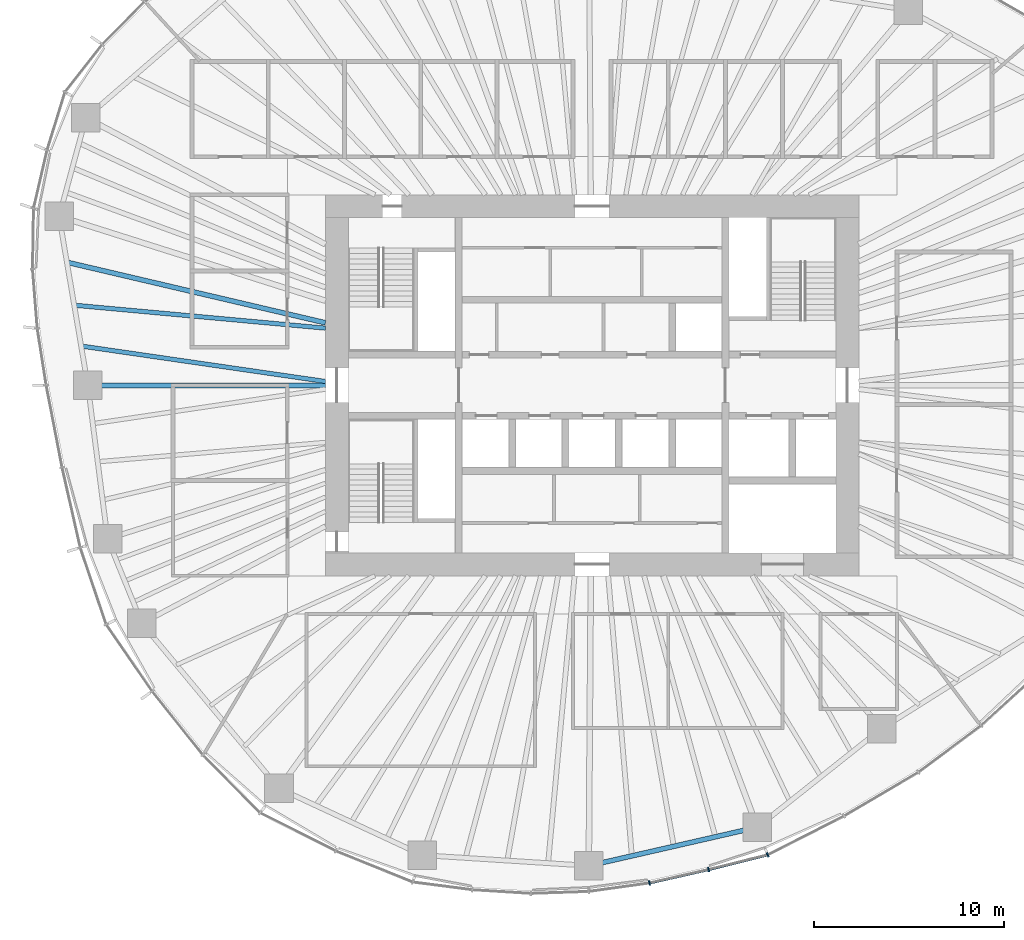
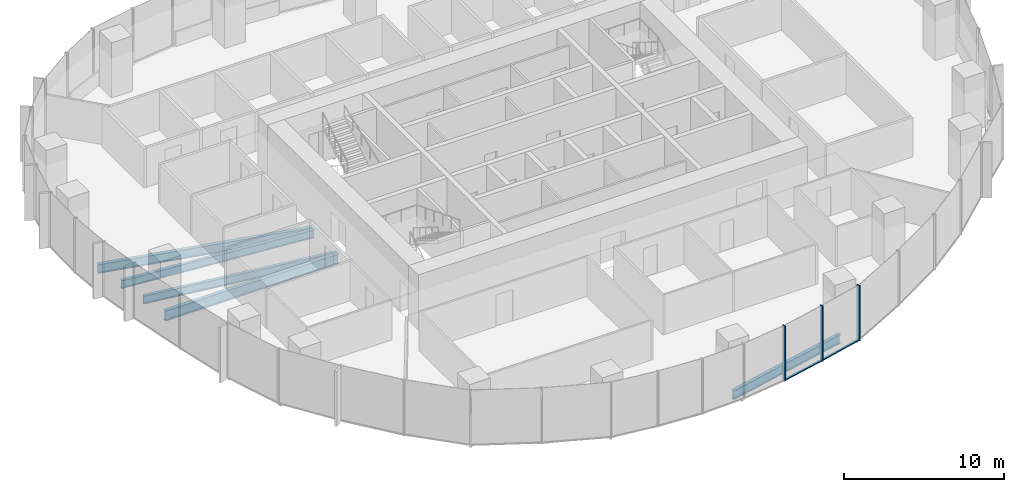
# One storey, part 3 of 18: 5 beams, 5 members, 2 elements without a shape of their own.
"""IFC4 building model written with IfcOpenShell, lengths in metres."""

from ifc_helpers import new_model, si_unit, direction, frame, origin, origin_2d, place, context, subcontext, project, spatial, rectangle, i_section, extrude, material, material_profile, profile_set, type_object, element, aggregate, save


model = new_model("IFC4")

# Units and contexts
model_context = context("Model", 3, precision=1e-05, world=origin(), true_north=direction((0.0, 1.0)))
body_context = subcontext(model_context, "Body", "Model", "MODEL_VIEW")
ifc_project = project(units=[si_unit("LENGTHUNIT", "METRE"), si_unit("AREAUNIT", "SQUARE_METRE"), si_unit("VOLUMEUNIT", "CUBIC_METRE"), si_unit("PLANEANGLEUNIT", "RADIAN"), si_unit("MASSUNIT", "GRAM", prefix="KILO")], contexts=[model_context])

# Site, building, storey
site_placement = place(None, origin())
site = spatial("IfcSite", under=ifc_project, at=site_placement, CompositionType="ELEMENT")
building_placement = place(site_placement, origin())
building = spatial("IfcBuilding", under=site, at=building_placement, Name="Ghaith Harvest Tower", CompositionType="ELEMENT")
storey_placement = place(building_placement, frame((0.0, 0.0, 138.60009765625)))
storey = spatial("IfcBuildingStorey", under=building, at=storey_placement, Name="L29", CompositionType="ELEMENT", Elevation=138.60009765625)

# Curtain wall, members
ifc_material_1 = material(Name="Black anodised aluminium and fritted glass", Category="aluminium")
curtain_wall_type = type_object("IfcCurtainWallType", Name="CW-L CURTAIN WALL", PredefinedType="NOTDEFINED", material=ifc_material_1)
curtain_wall_1_placement = place(storey_placement, origin())
curtain_wall_1 = element("IfcCurtainWall", 1, at=curtain_wall_1_placement, inside=storey, type_object=curtain_wall_type, Name="Curtain wall CW-L bay 16 L29", PredefinedType="NOTDEFINED")
ifc_material_2 = material(Name="Aluminium, black anodised", Category="aluminium")
ifc_material_profile_1 = material_profile(ifc_material_2, rectangle(XDim=0.080078125, YDim=0.239990234375, at=origin_2d()), Name="CW-L MULLION 80x240")
ifc_profile_set_1 = profile_set([ifc_material_profile_1], Name="Aluminium, black anodised")
member_type_1 = type_object("IfcMemberType", Name="CW-L MULLION 80x240", PredefinedType="MULLION", material=ifc_profile_set_1)
member_1_placement = place(storey_placement, frame((3.010009765625, -26.12939453125, 0.0), z_axis=(0.0, 0.0, 1.0), x_axis=(0.983806317978, 0.179234842337, 0.0)))
member_1 = element("IfcMember", 2, at=member_1_placement, type_object=member_type_1, Name="CW-L mullion 2 bay 16 L29", PredefinedType="MULLION", context=body_context, shape_type="SweptSolid", body=[
    extrude(rectangle(XDim=0.080078125, YDim=0.239990234375, at=origin_2d()), origin(), (0.0, 0.0, 1.0), 4.199951171875),
])
member_2_placement = place(storey_placement, frame((6.1201171875, -25.425537109375, 0.0), z_axis=(0.0, 0.0, 1.0), x_axis=(0.972918144681, 0.231149916179, 0.0)))
member_2 = element("IfcMember", 3, at=member_2_placement, type_object=member_type_1, Name="CW-L mullion 3 bay 16 L29", PredefinedType="MULLION", context=body_context, shape_type="SweptSolid", body=[
    extrude(rectangle(XDim=0.080078125, YDim=0.239990234375, at=origin_2d()), origin(), (0.0, 0.0, 1.0), 4.199951171875),
])

# Curtain wall, member
curtain_wall_2_placement = place(storey_placement, origin())
curtain_wall_2 = element("IfcCurtainWall", 4, at=curtain_wall_2_placement, inside=storey, type_object=curtain_wall_type, Name="Curtain wall CW-L bay 17 L29", PredefinedType="NOTDEFINED")
member_3_placement = place(storey_placement, frame((9.216796875, -24.654541015625, 0.0), z_axis=(0.0, 0.0, 1.0), x_axis=(0.929831847154, 0.367984695358, 0.0)))
member_3 = element("IfcMember", 5, at=member_3_placement, type_object=member_type_1, Name="CW-L mullion 1 bay 17 L29", PredefinedType="MULLION", context=body_context, shape_type="SweptSolid", body=[
    extrude(rectangle(XDim=0.080078125, YDim=0.239990234375, at=origin_2d()), origin(), (0.0, 0.0, 1.0), 4.199951171875),
])
aggregate(curtain_wall_2, [member_3])

# Member
ifc_material_3 = material(Name="Aluminium, black anodised", Category="aluminium")
ifc_material_profile_2 = material_profile(ifc_material_3, rectangle(XDim=0.14990234375, YDim=0.080078125, at=origin_2d()), Name="CW-L TRANSOM 150x80")
ifc_profile_set_2 = profile_set([ifc_material_profile_2], Name="Aluminium, black anodised")
member_type_2 = type_object("IfcMemberType", Name="CW-L TRANSOM 150x80", PredefinedType="USERDEFINED", material=ifc_profile_set_2)
member_4_placement = place(storey_placement, frame((3.048828125, -26.120361328125, 0.039794921875), z_axis=(0.975352213651, 0.22065370907, 0.0), x_axis=(-0.22065370907, 0.975352213651, 0.0)))
member_4 = element("IfcMember", 6, at=member_4_placement, type_object=member_type_2, Name="CW-L transom 2 bay 16 L29", ObjectType="TRANSOM", PredefinedType="USERDEFINED", context=body_context, shape_type="SweptSolid", body=[
    extrude(rectangle(XDim=0.14990234375, YDim=0.080078125, at=origin_2d()), origin(), (0.0, 0.0, 1.0), 3.109130859375),
])

member_5_placement = place(storey_placement, frame((6.158935546875, -25.415771484375, 0.039794921875), z_axis=(0.97039125345, 0.241538434265, 0.0), x_axis=(-0.241538434265, 0.97039125345, 0.0)))
member_5 = element("IfcMember", 7, at=member_5_placement, type_object=member_type_2, Name="CW-L transom 3 bay 16 L29", ObjectType="TRANSOM", PredefinedType="USERDEFINED", context=body_context, shape_type="SweptSolid", body=[
    extrude(rectangle(XDim=0.14990234375, YDim=0.080078125, at=origin_2d()), origin(), (0.0, 0.0, 1.0), 3.111083984375),
])

aggregate(curtain_wall_1, [member_1, member_4, member_2, member_5])

# Beams
ifc_material_4 = material(Name="Steel ASTM A992 Grade 50", Category="steel")
ifc_material_profile_3 = material_profile(ifc_material_4, i_section(OverallWidth=0.25390625, OverallDepth=0.68408203125, WebThickness=0.012451171875, FlangeThickness=0.018798828125, at=origin_2d()), Name="W690X140")
ifc_profile_set_3 = profile_set([ifc_material_profile_3], Name="Steel ASTM A992 Grade 50")
beam_type_1 = type_object("IfcBeamType", Name="E690-140 W690X140", PredefinedType="SPANDREL", material=ifc_profile_set_3)
beam_1_placement = place(storey_placement, frame((-0.173095703125, -25.22412109375, -0.51220703125), z_axis=(0.974881709383, 0.22272326486, 0.0), x_axis=(-0.22272326486, 0.974881709383, 0.0)))
element("IfcBeam", 8, at=beam_1_placement, inside=storey, type_object=beam_type_1, Name="Edge beam E16 L29", PredefinedType="SPANDREL", context=body_context, shape_type="SweptSolid", body=[
    extrude(i_section(OverallWidth=0.25390625, OverallDepth=0.68408203125, WebThickness=0.012451171875, FlangeThickness=0.018798828125, at=origin_2d()), origin(), (0.0, 0.0, 1.0), 9.0751953125),
])
ifc_material_5 = material(Name="Steel ASTM A992 Grade 50", Category="steel")
ifc_material_profile_4 = material_profile(ifc_material_5, i_section(OverallWidth=0.26806640625, OverallDepth=0.77001953125, WebThickness=0.015625, FlangeThickness=0.025390625, at=origin_2d()), Name="W760X196")
ifc_profile_set_4 = profile_set([ifc_material_profile_4], Name="Steel ASTM A992 Grade 50")
beam_type_2 = type_object("IfcBeamType", Name="G760-196 W760X196", PredefinedType="BEAM", material=ifc_profile_set_4)
beam_2_placement = place(storey_placement, frame((-14.0, 0.0, -0.55517578125), z_axis=(-1.0, 0.0, 0.0), x_axis=(0.0, -1.0, 0.0)))
element("IfcBeam", 9, at=beam_2_placement, inside=storey, type_object=beam_type_2, Name="Radial girder G11 L29", PredefinedType="BEAM", context=body_context, shape_type="SweptSolid", body=[
    extrude(i_section(OverallWidth=0.26806640625, OverallDepth=0.77001953125, WebThickness=0.015625, FlangeThickness=0.025390625, at=origin_2d()), origin(), (0.0, 0.0, 1.0), 12.47509765625),
])
ifc_material_6 = material(Name="Steel ASTM A992 Grade 50", Category="steel")
ifc_material_profile_5 = material_profile(ifc_material_6, i_section(OverallWidth=0.22900390625, OverallDepth=0.612060546875, WebThickness=0.011962890625, FlangeThickness=0.01953125, at=origin_2d()), Name="W610X125")
ifc_profile_set_5 = profile_set([ifc_material_profile_5], Name="Steel ASTM A992 Grade 50")
beam_type_3 = type_object("IfcBeamType", Name="J610-125 W610X125", PredefinedType="JOIST", material=ifc_profile_set_5)
beam_3_placement = place(storey_placement, frame((-14.0, 3.0, -0.47607421875), z_axis=(-0.995849123151, 0.091019360137, 0.0), x_axis=(-0.091019360137, -0.995849123151, 0.0)))
element("IfcBeam", 10, at=beam_3_placement, inside=storey, type_object=beam_type_3, Name="Joist J10.2 L29", PredefinedType="JOIST", context=body_context, shape_type="SweptSolid", body=[
    extrude(i_section(OverallWidth=0.22900390625, OverallDepth=0.612060546875, WebThickness=0.011962890625, FlangeThickness=0.01953125, at=origin_2d()), origin(), (0.0, 0.0, 1.0), 13.2451171875),
])
beam_4_placement = place(storey_placement, frame((-14.0, 0.199951171875, -0.47607421875), z_axis=(-0.989622120656, 0.143694322465, 0.0), x_axis=(-0.143694322465, -0.989622120656, 0.0)))
element("IfcBeam", 11, at=beam_4_placement, inside=storey, type_object=beam_type_3, Name="Joist J10.3 L29", PredefinedType="JOIST", context=body_context, shape_type="SweptSolid", body=[
    extrude(i_section(OverallWidth=0.22900390625, OverallDepth=0.612060546875, WebThickness=0.011962890625, FlangeThickness=0.01953125, at=origin_2d()), origin(), (0.0, 0.0, 1.0), 12.960205078125),
])
ifc_material_7 = material(Name="Steel ASTM A992 Grade 50", Category="steel")
ifc_material_profile_6 = material_profile(ifc_material_7, i_section(OverallWidth=0.25390625, OverallDepth=0.68408203125, WebThickness=0.012451171875, FlangeThickness=0.018798828125, at=origin_2d()), Name="W690X140")
ifc_profile_set_6 = profile_set([ifc_material_profile_6], Name="Steel ASTM A992 Grade 50")
beam_type_4 = type_object("IfcBeamType", Name="J690-140 W690X140", PredefinedType="JOIST", material=ifc_profile_set_6)
beam_5_placement = place(storey_placement, frame((-14.0, 3.280517578125, -0.51220703125), z_axis=(-0.973623240284, 0.228161753978, 0.0), x_axis=(-0.228161753978, -0.973623240284, 0.0)))
element("IfcBeam", 12, at=beam_5_placement, inside=storey, type_object=beam_type_4, Name="Joist J10.1 L29", PredefinedType="JOIST", context=body_context, shape_type="SweptSolid", body=[
    extrude(i_section(OverallWidth=0.25390625, OverallDepth=0.68408203125, WebThickness=0.012451171875, FlangeThickness=0.018798828125, at=origin_2d()), origin(), (0.0, 0.0, 1.0), 13.94140625),
])

save(model, "model.ifc")
